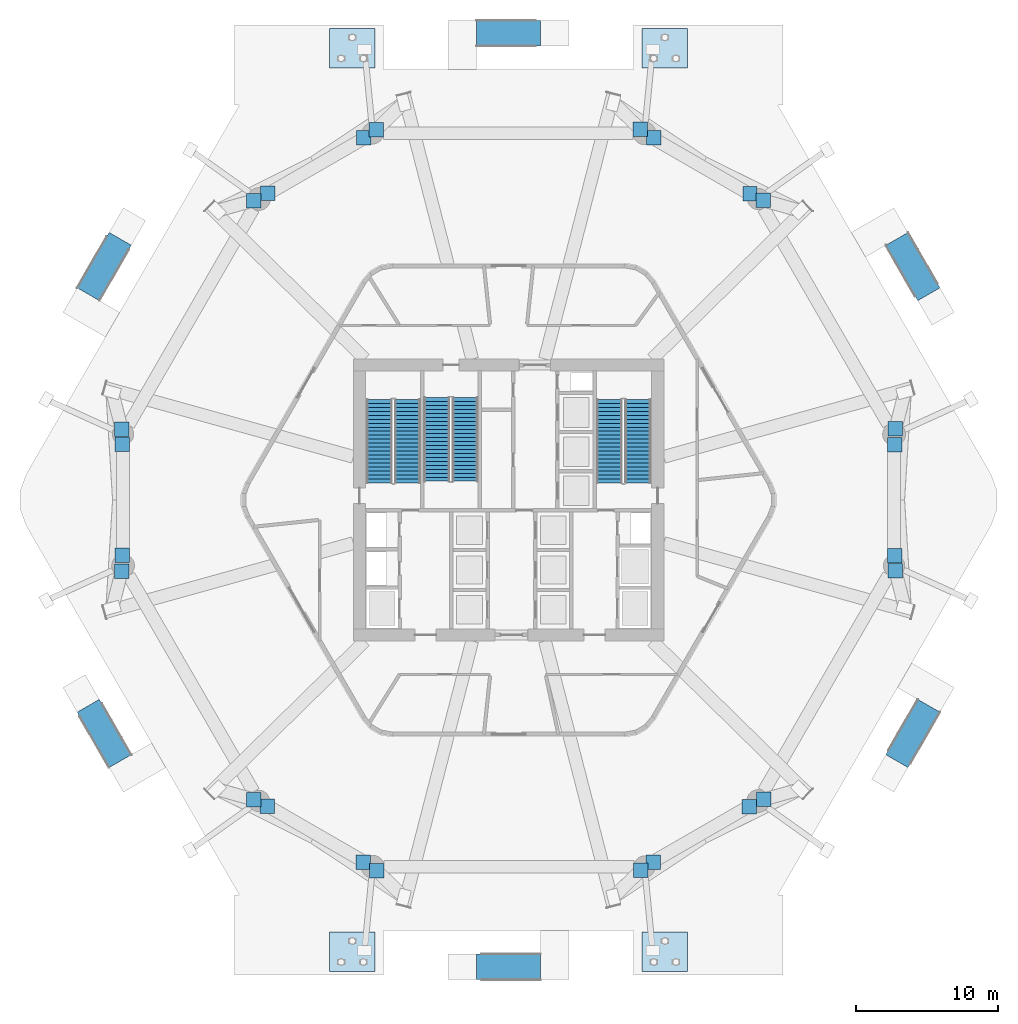
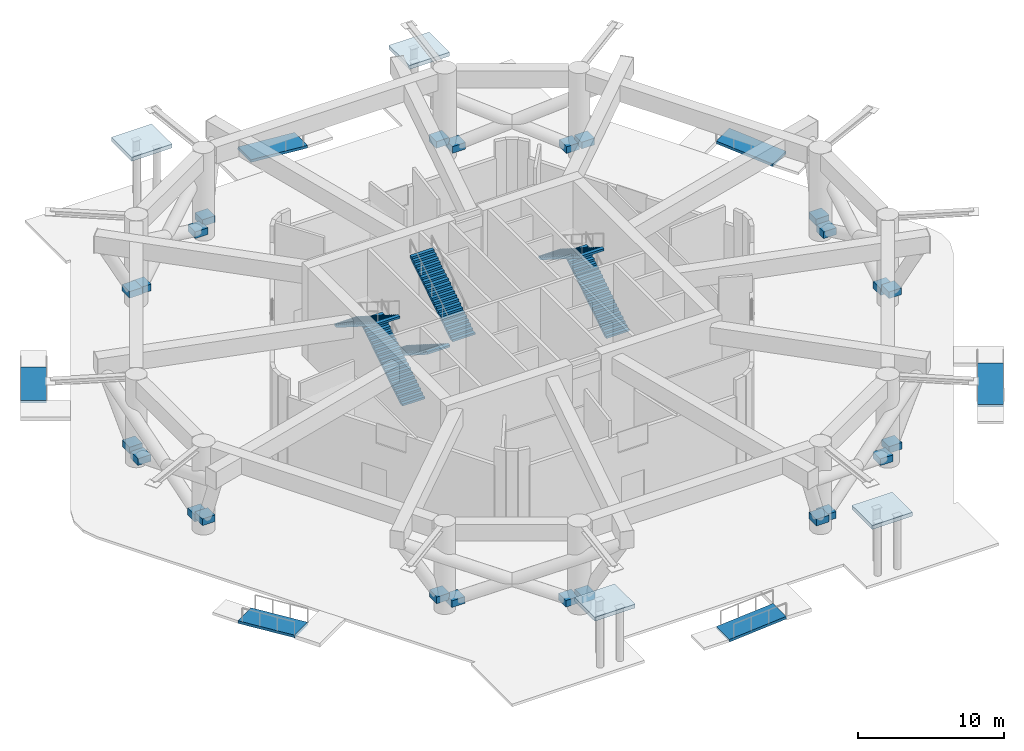
# One storey, part 12 of 17: 24 discrete accessories, 6 ramp flights, 6 stair flights, 4 roofs, 9 elements without a shape of their own.
"""IFC4 building model written with IfcOpenShell, lengths in metres."""

from ifc_helpers import new_model, si_unit, direction, frame, origin, origin_2d, place, context, subcontext, project, spatial, polyline, rectangle, outline, extrude, material, layer, layer_set, type_object, element, aggregate, save


model = new_model("IFC4")

# Units and contexts
model_context = context("Model", 3, precision=1e-05, world=origin(), true_north=direction((0.0, 1.0)))
body_context = subcontext(model_context, "Body", "Model", "MODEL_VIEW")
ifc_project = project(units=[si_unit("LENGTHUNIT", "METRE"), si_unit("AREAUNIT", "SQUARE_METRE"), si_unit("VOLUMEUNIT", "CUBIC_METRE"), si_unit("PLANEANGLEUNIT", "RADIAN"), si_unit("MASSUNIT", "GRAM", prefix="KILO")], contexts=[model_context])

# Site, building, storey
site_placement = place(None, origin())
site = spatial("IfcSite", under=ifc_project, at=site_placement, CompositionType="ELEMENT")
building_placement = place(site_placement, origin())
building = spatial("IfcBuilding", under=site, at=building_placement, Name="Zuhravey Tower", CompositionType="ELEMENT")
storey_placement = place(building_placement, origin())
storey = spatial("IfcBuildingStorey", under=building, at=storey_placement, Name="L01", CompositionType="ELEMENT", Elevation=0.0)

# Stair, stair flights
ifc_material_1 = material(Name="Concrete C40/50", Category="concrete")
stair_type = type_object("IfcStairType", Name="Stilt Ground Stair Assembly 7800", PredefinedType="HALF_TURN_STAIR", material=ifc_material_1)
stair_1_placement = place(storey_placement, origin())
stair_1 = element("IfcStair", 1, at=stair_1_placement, inside=storey, type_object=stair_type, Name="L01 Core Exit Stair ST1", PredefinedType="HALF_TURN_STAIR")
stair_flight_type = type_object("IfcStairFlightType", Name="Stilt Ground Stair Flight 7800", PredefinedType="STRAIGHT", material=ifc_material_1)
stair_flight_1_placement = place(storey_placement, frame((28.89990234375, 33.199951171875, 0.0), z_axis=(0.0, 0.0, 1.0), x_axis=(0.0, 1.0, 0.0)))
stair_flight_1 = element("IfcStairFlight", 2, at=stair_flight_1_placement, type_object=stair_flight_type, Name="ST1 flight 1", NumberOfRisers=22, NumberOfTreads=21, PredefinedType="STRAIGHT", RiserHeight=0.177272727, TreadLength=0.28, context=body_context, shape_type="SweptSolid", body=[
    extrude(outline(polyline([(0.0, 0.0), (0.0, 0.17724609375), (0.280029296875, 0.17724609375), (0.280029296875, 0.3544921875), (0.56005859375, 0.3544921875), (0.56005859375, 0.53173828125), (0.840087890625, 0.53173828125), (0.840087890625, 0.708984375), (1.1201171875, 0.708984375), (1.1201171875, 0.886474609375), (1.39990234375, 0.886474609375), (1.39990234375, 1.063720703125), (1.679931640625, 1.063720703125), (1.679931640625, 1.240966796875), (1.9599609375, 1.240966796875), (1.9599609375, 1.418212890625), (2.239990234375, 1.418212890625), (2.239990234375, 1.595458984375), (2.52001953125, 1.595458984375), (2.52001953125, 1.772705078125), (2.800048828125, 1.772705078125), (2.800048828125, 1.949951171875), (3.080078125, 1.949951171875), (3.080078125, 2.127197265625), (3.360107421875, 2.127197265625), (3.360107421875, 2.304443359375), (3.639892578125, 2.304443359375), (3.639892578125, 2.48193359375), (3.919921875, 2.48193359375), (3.919921875, 2.6591796875), (4.199951171875, 2.6591796875), (4.199951171875, 2.83642578125), (4.47998046875, 2.83642578125), (4.47998046875, 3.013671875), (4.760009765625, 3.013671875), (4.760009765625, 3.19091796875), (5.0400390625, 3.19091796875), (5.0400390625, 3.3681640625), (5.320068359375, 3.3681640625), (5.320068359375, 3.54541015625), (5.60009765625, 3.54541015625), (5.60009765625, 3.72265625), (5.8798828125, 3.72265625), (5.8798828125, 3.89990234375), (5.8798828125, 3.54541015625), (0.2802734375, 0.0), (0.0, 0.0)])), frame((0.0, 0.89990234375, 0.0), z_axis=(0.0, -1.0, 0.0), x_axis=(1.0, 0.0, 0.0)), (0.0, 0.0, 1.0), 1.800048828125),
])
stair_flight_2_placement = place(storey_placement, frame((26.89990234375, 39.080078125, 3.89990234375), z_axis=(0.0, 0.0, 1.0), x_axis=(0.0, -1.0, 0.0)))
stair_flight_2 = element("IfcStairFlight", 3, at=stair_flight_2_placement, type_object=stair_flight_type, Name="ST1 flight 2", NumberOfRisers=22, NumberOfTreads=21, PredefinedType="STRAIGHT", RiserHeight=0.177272727, TreadLength=0.28, context=body_context, shape_type="SweptSolid", body=[
    extrude(outline(polyline([(0.0, 0.0), (0.0, 0.17724609375), (0.280029296875, 0.17724609375), (0.280029296875, 0.3544921875), (0.56005859375, 0.3544921875), (0.56005859375, 0.53173828125), (0.840087890625, 0.53173828125), (0.840087890625, 0.708984375), (1.1201171875, 0.708984375), (1.1201171875, 0.886474609375), (1.39990234375, 0.886474609375), (1.39990234375, 1.063720703125), (1.679931640625, 1.063720703125), (1.679931640625, 1.240966796875), (1.9599609375, 1.240966796875), (1.9599609375, 1.418212890625), (2.239990234375, 1.418212890625), (2.239990234375, 1.595458984375), (2.52001953125, 1.595458984375), (2.52001953125, 1.772705078125), (2.800048828125, 1.772705078125), (2.800048828125, 1.949951171875), (3.080078125, 1.949951171875), (3.080078125, 2.127197265625), (3.360107421875, 2.127197265625), (3.360107421875, 2.304443359375), (3.639892578125, 2.304443359375), (3.639892578125, 2.48193359375), (3.919921875, 2.48193359375), (3.919921875, 2.6591796875), (4.199951171875, 2.6591796875), (4.199951171875, 2.83642578125), (4.47998046875, 2.83642578125), (4.47998046875, 3.013671875), (4.760009765625, 3.013671875), (4.760009765625, 3.19091796875), (5.0400390625, 3.19091796875), (5.0400390625, 3.3681640625), (5.320068359375, 3.3681640625), (5.320068359375, 3.54541015625), (5.60009765625, 3.54541015625), (5.60009765625, 3.72265625), (5.8798828125, 3.72265625), (5.8798828125, 3.89990234375), (5.8798828125, 3.54541015625), (0.2802734375, 0.0), (0.0, 0.0)])), frame((0.0, 0.89990234375, 0.0), z_axis=(0.0, -1.0, 0.0), x_axis=(1.0, 0.0, 0.0)), (0.0, 0.0, 1.0), 1.800048828125),
])
aggregate(stair_1, [stair_flight_1, stair_flight_2])

stair_2_placement = place(storey_placement, origin())
stair_2 = element("IfcStair", 4, at=stair_2_placement, inside=storey, type_object=stair_type, Name="L01 Core Exit Stair ST2", PredefinedType="HALF_TURN_STAIR")
stair_flight_3_placement = place(storey_placement, frame((45.10009765625, 33.199951171875, 0.0), z_axis=(0.0, 0.0, 1.0), x_axis=(0.0, 1.0, 0.0)))
stair_flight_3 = element("IfcStairFlight", 5, at=stair_flight_3_placement, type_object=stair_flight_type, Name="ST2 flight 1", NumberOfRisers=22, NumberOfTreads=21, PredefinedType="STRAIGHT", RiserHeight=0.177272727, TreadLength=0.28, context=body_context, shape_type="SweptSolid", body=[
    extrude(outline(polyline([(0.0, 0.0), (0.0, 0.17724609375), (0.280029296875, 0.17724609375), (0.280029296875, 0.3544921875), (0.56005859375, 0.3544921875), (0.56005859375, 0.53173828125), (0.840087890625, 0.53173828125), (0.840087890625, 0.708984375), (1.1201171875, 0.708984375), (1.1201171875, 0.886474609375), (1.39990234375, 0.886474609375), (1.39990234375, 1.063720703125), (1.679931640625, 1.063720703125), (1.679931640625, 1.240966796875), (1.9599609375, 1.240966796875), (1.9599609375, 1.418212890625), (2.239990234375, 1.418212890625), (2.239990234375, 1.595458984375), (2.52001953125, 1.595458984375), (2.52001953125, 1.772705078125), (2.800048828125, 1.772705078125), (2.800048828125, 1.949951171875), (3.080078125, 1.949951171875), (3.080078125, 2.127197265625), (3.360107421875, 2.127197265625), (3.360107421875, 2.304443359375), (3.639892578125, 2.304443359375), (3.639892578125, 2.48193359375), (3.919921875, 2.48193359375), (3.919921875, 2.6591796875), (4.199951171875, 2.6591796875), (4.199951171875, 2.83642578125), (4.47998046875, 2.83642578125), (4.47998046875, 3.013671875), (4.760009765625, 3.013671875), (4.760009765625, 3.19091796875), (5.0400390625, 3.19091796875), (5.0400390625, 3.3681640625), (5.320068359375, 3.3681640625), (5.320068359375, 3.54541015625), (5.60009765625, 3.54541015625), (5.60009765625, 3.72265625), (5.8798828125, 3.72265625), (5.8798828125, 3.89990234375), (5.8798828125, 3.54541015625), (0.2802734375, 0.0), (0.0, 0.0)])), frame((0.0, 0.89990234375, 0.0), z_axis=(0.0, -1.0, 0.0), x_axis=(1.0, 0.0, 0.0)), (0.0, 0.0, 1.0), 1.800048828125),
])
stair_flight_4_placement = place(storey_placement, frame((43.10009765625, 39.080078125, 3.89990234375), z_axis=(0.0, 0.0, 1.0), x_axis=(0.0, -1.0, 0.0)))
stair_flight_4 = element("IfcStairFlight", 6, at=stair_flight_4_placement, type_object=stair_flight_type, Name="ST2 flight 2", NumberOfRisers=22, NumberOfTreads=21, PredefinedType="STRAIGHT", RiserHeight=0.177272727, TreadLength=0.28, context=body_context, shape_type="SweptSolid", body=[
    extrude(outline(polyline([(0.0, 0.0), (0.0, 0.17724609375), (0.280029296875, 0.17724609375), (0.280029296875, 0.3544921875), (0.56005859375, 0.3544921875), (0.56005859375, 0.53173828125), (0.840087890625, 0.53173828125), (0.840087890625, 0.708984375), (1.1201171875, 0.708984375), (1.1201171875, 0.886474609375), (1.39990234375, 0.886474609375), (1.39990234375, 1.063720703125), (1.679931640625, 1.063720703125), (1.679931640625, 1.240966796875), (1.9599609375, 1.240966796875), (1.9599609375, 1.418212890625), (2.239990234375, 1.418212890625), (2.239990234375, 1.595458984375), (2.52001953125, 1.595458984375), (2.52001953125, 1.772705078125), (2.800048828125, 1.772705078125), (2.800048828125, 1.949951171875), (3.080078125, 1.949951171875), (3.080078125, 2.127197265625), (3.360107421875, 2.127197265625), (3.360107421875, 2.304443359375), (3.639892578125, 2.304443359375), (3.639892578125, 2.48193359375), (3.919921875, 2.48193359375), (3.919921875, 2.6591796875), (4.199951171875, 2.6591796875), (4.199951171875, 2.83642578125), (4.47998046875, 2.83642578125), (4.47998046875, 3.013671875), (4.760009765625, 3.013671875), (4.760009765625, 3.19091796875), (5.0400390625, 3.19091796875), (5.0400390625, 3.3681640625), (5.320068359375, 3.3681640625), (5.320068359375, 3.54541015625), (5.60009765625, 3.54541015625), (5.60009765625, 3.72265625), (5.8798828125, 3.72265625), (5.8798828125, 3.89990234375), (5.8798828125, 3.54541015625), (0.2802734375, 0.0), (0.0, 0.0)])), frame((0.0, 0.89990234375, 0.0), z_axis=(0.0, -1.0, 0.0), x_axis=(1.0, 0.0, 0.0)), (0.0, 0.0, 1.0), 1.800048828125),
])
aggregate(stair_2, [stair_flight_3, stair_flight_4])

stair_3_placement = place(storey_placement, origin())
stair_3 = element("IfcStair", 7, at=stair_3_placement, inside=storey, type_object=stair_type, Name="L01 Core Exit Stair ST3", PredefinedType="HALF_TURN_STAIR")
stair_flight_5_placement = place(storey_placement, frame((30.949951171875, 39.199951171875, 0.0), z_axis=(0.0, 0.0, 1.0), x_axis=(0.0, -1.0, 0.0)))
stair_flight_5 = element("IfcStairFlight", 8, at=stair_flight_5_placement, type_object=stair_flight_type, Name="ST3 flight 1", NumberOfRisers=22, NumberOfTreads=21, PredefinedType="STRAIGHT", RiserHeight=0.177272727, TreadLength=0.28, context=body_context, shape_type="SweptSolid", body=[
    extrude(outline(polyline([(0.0, 0.0), (0.0, 0.17724609375), (0.280029296875, 0.17724609375), (0.280029296875, 0.3544921875), (0.56005859375, 0.3544921875), (0.56005859375, 0.53173828125), (0.840087890625, 0.53173828125), (0.840087890625, 0.708984375), (1.1201171875, 0.708984375), (1.1201171875, 0.886474609375), (1.39990234375, 0.886474609375), (1.39990234375, 1.063720703125), (1.679931640625, 1.063720703125), (1.679931640625, 1.240966796875), (1.9599609375, 1.240966796875), (1.9599609375, 1.418212890625), (2.239990234375, 1.418212890625), (2.239990234375, 1.595458984375), (2.52001953125, 1.595458984375), (2.52001953125, 1.772705078125), (2.800048828125, 1.772705078125), (2.800048828125, 1.949951171875), (3.080078125, 1.949951171875), (3.080078125, 2.127197265625), (3.360107421875, 2.127197265625), (3.360107421875, 2.304443359375), (3.639892578125, 2.304443359375), (3.639892578125, 2.48193359375), (3.919921875, 2.48193359375), (3.919921875, 2.6591796875), (4.199951171875, 2.6591796875), (4.199951171875, 2.83642578125), (4.47998046875, 2.83642578125), (4.47998046875, 3.013671875), (4.760009765625, 3.013671875), (4.760009765625, 3.19091796875), (5.0400390625, 3.19091796875), (5.0400390625, 3.3681640625), (5.320068359375, 3.3681640625), (5.320068359375, 3.54541015625), (5.60009765625, 3.54541015625), (5.60009765625, 3.72265625), (5.8798828125, 3.72265625), (5.8798828125, 3.89990234375), (5.8798828125, 3.54541015625), (0.2802734375, 0.0), (0.0, 0.0)])), frame((0.0, 0.89990234375, 0.0), z_axis=(0.0, -1.0, 0.0), x_axis=(1.0, 0.0, 0.0)), (0.0, 0.0, 1.0), 1.800048828125),
])
stair_flight_6_placement = place(storey_placement, frame((32.949951171875, 33.320068359375, 3.89990234375), z_axis=(0.0, 0.0, 1.0), x_axis=(0.0, 1.0, 0.0)))
stair_flight_6 = element("IfcStairFlight", 9, at=stair_flight_6_placement, type_object=stair_flight_type, Name="ST3 flight 2", NumberOfRisers=22, NumberOfTreads=21, PredefinedType="STRAIGHT", RiserHeight=0.177272727, TreadLength=0.28, context=body_context, shape_type="SweptSolid", body=[
    extrude(outline(polyline([(0.0, 0.0), (0.0, 0.17724609375), (0.280029296875, 0.17724609375), (0.280029296875, 0.3544921875), (0.56005859375, 0.3544921875), (0.56005859375, 0.53173828125), (0.840087890625, 0.53173828125), (0.840087890625, 0.708984375), (1.1201171875, 0.708984375), (1.1201171875, 0.886474609375), (1.39990234375, 0.886474609375), (1.39990234375, 1.063720703125), (1.679931640625, 1.063720703125), (1.679931640625, 1.240966796875), (1.9599609375, 1.240966796875), (1.9599609375, 1.418212890625), (2.239990234375, 1.418212890625), (2.239990234375, 1.595458984375), (2.52001953125, 1.595458984375), (2.52001953125, 1.772705078125), (2.800048828125, 1.772705078125), (2.800048828125, 1.949951171875), (3.080078125, 1.949951171875), (3.080078125, 2.127197265625), (3.360107421875, 2.127197265625), (3.360107421875, 2.304443359375), (3.639892578125, 2.304443359375), (3.639892578125, 2.48193359375), (3.919921875, 2.48193359375), (3.919921875, 2.6591796875), (4.199951171875, 2.6591796875), (4.199951171875, 2.83642578125), (4.47998046875, 2.83642578125), (4.47998046875, 3.013671875), (4.760009765625, 3.013671875), (4.760009765625, 3.19091796875), (5.0400390625, 3.19091796875), (5.0400390625, 3.3681640625), (5.320068359375, 3.3681640625), (5.320068359375, 3.54541015625), (5.60009765625, 3.54541015625), (5.60009765625, 3.72265625), (5.8798828125, 3.72265625), (5.8798828125, 3.89990234375), (5.8798828125, 3.54541015625), (0.2802734375, 0.0), (0.0, 0.0)])), frame((0.0, 0.89990234375, 0.0), z_axis=(0.0, -1.0, 0.0), x_axis=(1.0, 0.0, 0.0)), (0.0, 0.0, 1.0), 1.800048828125),
])
aggregate(stair_3, [stair_flight_5, stair_flight_6])

# Ramp, ramp flight
ramp_type = type_object("IfcRampType", Name="Accessible Plaza Ramp", PredefinedType="STRAIGHT_RUN_RAMP", material=ifc_material_1)
ramp_1_placement = place(storey_placement, origin())
ramp_1 = element("IfcRamp", 10, at=ramp_1_placement, inside=storey, type_object=ramp_type, Name="L01 Accessible Plaza Ramp AR1-01", PredefinedType="STRAIGHT_RUN_RAMP")
ifc_layer_1 = layer(ifc_material_1, 0.219970703125)
ifc_layer_set_1 = layer_set([ifc_layer_1], Name="Concrete C40/50")
ramp_flight_type = type_object("IfcRampFlightType", Name="Accessible Ramp Flight", PredefinedType="STRAIGHT", material=ifc_layer_set_1)
ramp_flight_1_placement = place(storey_placement, frame((64.803955078125, 46.031982421875, -0.360107421875), z_axis=(0.039885544436, -0.069081568215, 0.996813362811), x_axis=(0.866047620835, 0.499961516944, -4.670109e-06)))
ramp_flight_1 = element("IfcRampFlight", 11, at=ramp_flight_1_placement, type_object=ramp_flight_type, Name="L01 Accessible Ramp Flight ARF1-01", PredefinedType="STRAIGHT", context=body_context, shape_type="SweptSolid", body=[
    extrude(outline(polyline([(0.0, 0.0), (1.799944387325295, 1.1102230246251565e-16), (1.799793980330854, 4.514474066205357), (-0.00027246791166322704, 4.514263302526755), (0.0, 0.0)])), origin(), (0.0, 0.0, -1.0), 0.219970703125),
])
aggregate(ramp_1, [ramp_flight_1])

ramp_2_placement = place(storey_placement, origin())
ramp_2 = element("IfcRamp", 12, at=ramp_2_placement, inside=storey, type_object=ramp_type, Name="L01 Accessible Plaza Ramp AR1-02", PredefinedType="STRAIGHT_RUN_RAMP")
ramp_flight_2_placement = place(storey_placement, frame((38.25, 63.9609375, -0.360107421875), z_axis=(0.079768866396, 0.0, 0.996813386725), x_axis=(0.0, 1.0, 0.0)))
ramp_flight_2 = element("IfcRampFlight", 13, at=ramp_flight_2_placement, type_object=ramp_flight_type, Name="L01 Accessible Ramp Flight ARF1-02", PredefinedType="STRAIGHT", context=body_context, shape_type="SweptSolid", body=[
    extrude(outline(polyline([(0.0, 0.0), (1.800048828125, 0.0), (1.800048828125, 4.514385601085651), (0.0, 4.514385601085651), (0.0, 0.0)])), origin(), (0.0, 0.0, -1.0), 0.219970703125),
])
aggregate(ramp_2, [ramp_flight_2])

ramp_3_placement = place(storey_placement, origin())
ramp_3 = element("IfcRamp", 14, at=ramp_3_placement, inside=storey, type_object=ramp_type, Name="L01 Accessible Plaza Ramp AR1-03", PredefinedType="STRAIGHT_RUN_RAMP")
ramp_flight_3_placement = place(storey_placement, frame((9.446044921875, 49.928955078125, -0.360107421875), z_axis=(0.039885544436, 0.069081568215, 0.996813362811), x_axis=(-0.865989262679, 0.500062592985, -4.669792e-06)))
ramp_flight_3 = element("IfcRampFlight", 15, at=ramp_flight_3_placement, type_object=ramp_flight_type, Name="L01 Accessible Ramp Flight ARF1-03", PredefinedType="STRAIGHT", context=body_context, shape_type="SweptSolid", body=[
    extrude(outline(polyline([(0.0, 0.0), (1.8000664605813197, 0.0), (1.7996882831130012, 4.514474052870919), (-0.0002560918743280366, 4.514263303485462), (0.0, 0.0)])), origin(), (0.0, 0.0, -1.0), 0.219970703125),
])
aggregate(ramp_3, [ramp_flight_3])

ramp_4_placement = place(storey_placement, origin())
ramp_4 = element("IfcRamp", 16, at=ramp_4_placement, inside=storey, type_object=ramp_type, Name="L01 Accessible Plaza Ramp AR1-04", PredefinedType="STRAIGHT_RUN_RAMP")
ramp_flight_4_placement = place(storey_placement, frame((7.196044921875, 17.968017578125, -0.360107421875), z_axis=(-0.039885544436, 0.069081568215, 0.996813362811), x_axis=(-0.866047620835, -0.499961516944, -4.670109e-06)))
ramp_flight_4 = element("IfcRampFlight", 17, at=ramp_flight_4_placement, type_object=ramp_flight_type, Name="L01 Accessible Ramp Flight ARF1-04", PredefinedType="STRAIGHT", context=body_context, shape_type="SweptSolid", body=[
    extrude(outline(polyline([(0.0, 0.0), (1.799944387325295, 1.1102230246251565e-16), (1.799793980330854, 4.514474066205357), (-0.00027246791166322704, 4.514263302526755), (0.0, 0.0)])), origin(), (0.0, 0.0, -1.0), 0.219970703125),
])
aggregate(ramp_4, [ramp_flight_4])

ramp_5_placement = place(storey_placement, origin())
ramp_5 = element("IfcRamp", 18, at=ramp_5_placement, inside=storey, type_object=ramp_type, Name="L01 Accessible Plaza Ramp AR1-05", PredefinedType="STRAIGHT_RUN_RAMP")
ramp_flight_5_placement = place(storey_placement, frame((33.75, 0.0390625, -0.360107421875), z_axis=(-0.079768866396, 0.0, 0.996813386725), x_axis=(0.0, -1.0, 0.0)))
ramp_flight_5 = element("IfcRampFlight", 19, at=ramp_flight_5_placement, type_object=ramp_flight_type, Name="L01 Accessible Ramp Flight ARF1-05", PredefinedType="STRAIGHT", context=body_context, shape_type="SweptSolid", body=[
    extrude(outline(polyline([(0.0, 0.0), (1.800048828125, 0.0), (1.800048828125, 4.514385601085651), (0.0, 4.514385601085651), (0.0, 0.0)])), origin(), (0.0, 0.0, -1.0), 0.219970703125),
])
aggregate(ramp_5, [ramp_flight_5])

ramp_6_placement = place(storey_placement, origin())
ramp_6 = element("IfcRamp", 20, at=ramp_6_placement, inside=storey, type_object=ramp_type, Name="L01 Accessible Plaza Ramp AR1-06", PredefinedType="STRAIGHT_RUN_RAMP")
ramp_flight_6_placement = place(storey_placement, frame((62.553955078125, 14.071044921875, -0.360107421875), z_axis=(-0.039885544436, -0.069081568215, 0.996813362811), x_axis=(0.865989262679, -0.500062592985, -4.669792e-06)))
ramp_flight_6 = element("IfcRampFlight", 21, at=ramp_flight_6_placement, type_object=ramp_flight_type, Name="L01 Accessible Ramp Flight ARF1-06", PredefinedType="STRAIGHT", context=body_context, shape_type="SweptSolid", body=[
    extrude(outline(polyline([(0.0, 0.0), (1.8000664605813197, 0.0), (1.7996882831130012, 4.514474052870919), (-0.0002560918743280366, 4.514263303485462), (0.0, 0.0)])), origin(), (0.0, 0.0, -1.0), 0.219970703125),
])
aggregate(ramp_6, [ramp_flight_6])

# Roofs
ifc_layer_2 = layer(ifc_material_1, 0.320068359375)
ifc_layer_set_2 = layer_set([ifc_layer_2], Name="Concrete C40/50")
roof_type = type_object("IfcRoofType", Name="Crown Crest Flat Roof Assembly", PredefinedType="FLAT_ROOF", material=ifc_layer_set_2)
roof_1_placement = place(storey_placement, frame((0.0, 0.0, 4.448974609375)))
element("IfcRoof", 22, at=roof_1_placement, inside=storey, type_object=roof_type, Name="L01 Entrance Canopy Roof RFA1-S1", PredefinedType="FLAT_ROOF", context=body_context, shape_type="SweptSolid", body=[
    extrude(outline(polyline([(23.39990234375, -1.199951171875), (26.60009765625, -1.199951171875), (26.60009765625, 1.60009765625), (23.39990234375, 1.60009765625), (23.39990234375, -1.199951171875)])), origin(), (0.0, 0.0, 1.0), 0.320068359375),
])
roof_2_placement = place(storey_placement, frame((0.0, 0.0, 4.448974609375)))
element("IfcRoof", 23, at=roof_2_placement, inside=storey, type_object=roof_type, Name="L01 Entrance Canopy Roof RFA1-S2", PredefinedType="FLAT_ROOF", context=body_context, shape_type="SweptSolid", body=[
    extrude(outline(polyline([(45.39990234375, -1.199951171875), (48.60009765625, -1.199951171875), (48.60009765625, 1.60009765625), (45.39990234375, 1.60009765625), (45.39990234375, -1.199951171875)])), origin(), (0.0, 0.0, 1.0), 0.320068359375),
])
roof_3_placement = place(storey_placement, frame((0.0, 0.0, 4.448974609375)))
element("IfcRoof", 24, at=roof_3_placement, inside=storey, type_object=roof_type, Name="L01 Entrance Canopy Roof RFA1-N1", PredefinedType="FLAT_ROOF", context=body_context, shape_type="SweptSolid", body=[
    extrude(outline(polyline([(23.39990234375, 62.39990234375), (26.60009765625, 62.39990234375), (26.60009765625, 65.199951171875), (23.39990234375, 65.199951171875), (23.39990234375, 62.39990234375)])), origin(), (0.0, 0.0, 1.0), 0.320068359375),
])
roof_4_placement = place(storey_placement, frame((0.0, 0.0, 4.448974609375)))
element("IfcRoof", 25, at=roof_4_placement, inside=storey, type_object=roof_type, Name="L01 Entrance Canopy Roof RFA1-N2", PredefinedType="FLAT_ROOF", context=body_context, shape_type="SweptSolid", body=[
    extrude(outline(polyline([(45.39990234375, 62.39990234375), (48.60009765625, 62.39990234375), (48.60009765625, 65.199951171875), (45.39990234375, 65.199951171875), (45.39990234375, 62.39990234375)])), origin(), (0.0, 0.0, 1.0), 0.320068359375),
])

# Discrete accessories
ifc_material_2 = material(Name="Steel SM355", Category="steel")
discrete_accessory_type = type_object("IfcDiscreteAccessoryType", Name="Exoskeleton Support Bracket", PredefinedType="BRACKET", material=ifc_material_2)
for number, where, z_axis, x_axis, name in (
    (26, (63.22998046875, 37.005615234375, 0.96923828125), (0.0, 0.0, 1.0), (1.0, 0.0, 0.0), "L01 Stilt V-Strut Base Collar BRK1-S01"),
    (27, (63.1748046875, 28.0673828125, 0.574462890625), (0.0, 0.0, 1.0), (1.0, 0.0, 0.0), "L01 Stilt V-Strut Base Collar BRK1-S02"),
    (28, (53.92626953125, 53.085693359375, 0.92578125), (0.0, 0.0, 1.0), (1.0, 0.0, 0.0), "L01 Stilt V-Strut Base Collar BRK1-S03"),
    (29, (46.222412109375, 57.47998046875, 0.594482421875), (0.0, 0.0, 1.0), (1.0, 0.0, 0.0), "L01 Stilt V-Strut Base Collar BRK1-S04"),
    (30, (45.27978515625, 58.084716796875, 0.96923828125), (0.0, 0.0, 1.0), (1.0, 0.0, 0.0), "L01 Stilt V-Strut Base Collar BRK1-S05"),
    (31, (52.9931640625, 53.567626953125, 0.574462890625), (0.0, 0.0, 1.0), (1.0, 0.0, 0.0), "L01 Stilt V-Strut Base Collar BRK1-S06"),
    (32, (26.702392578125, 58.067626953125, 0.92578125), (0.0, 0.0, 1.0), (1.0, 0.0, 0.0), "L01 Stilt V-Strut Base Collar BRK1-S07"),
    (33, (19.044921875, 53.593017578125, 0.594482421875), (0.0, 0.0, 1.0), (1.0, 0.0, 0.0), "L01 Stilt V-Strut Base Collar BRK1-S08"),
    (34, (18.0498046875, 53.0791015625, 0.96923828125), (0.0, 0.0, 1.0), (1.0, 0.0, 0.0), "L01 Stilt V-Strut Base Collar BRK1-S09"),
    (35, (25.818359375, 57.500244140625, 0.574462890625), (0.0, 0.0, 1.0), (1.0, 0.0, 0.0), "L01 Stilt V-Strut Base Collar BRK1-S10"),
    (36, (8.776123046875, 36.981689453125, 0.92578125), (0.0, 0.0, 1.0), (1.0, 0.0, 0.0), "L01 Stilt V-Strut Base Collar BRK1-S11"),
    (37, (8.822509765625, 28.113037109375, 0.594482421875), (0.0, 0.0, 1.0), (1.0, 0.0, 0.0), "L01 Stilt V-Strut Base Collar BRK1-S12"),
    (38, (8.77001953125, 26.994384765625, 0.96923828125), (0.0, 0.0, 1.0), (1.0, 0.0, 0.0), "L01 Stilt V-Strut Base Collar BRK1-S13"),
    (39, (8.8251953125, 35.9326171875, 0.574462890625), (0.0, 0.0, 1.0), (1.0, 0.0, 0.0), "L01 Stilt V-Strut Base Collar BRK1-S14"),
    (40, (18.07373046875, 10.914306640625, 0.92578125), (0.0, 0.0, 1.0), (1.0, 0.0, 0.0), "L01 Stilt V-Strut Base Collar BRK1-S15"),
    (41, (25.777587890625, 6.52001953125, 0.594482421875), (0.0, 0.0, 1.0), (1.0, 0.0, 0.0), "L01 Stilt V-Strut Base Collar BRK1-S16"),
    (42, (26.72021484375, 5.915283203125, 0.96923828125), (0.0, 0.0, 1.0), (1.0, 0.0, 0.0), "L01 Stilt V-Strut Base Collar BRK1-S17"),
    (43, (19.0068359375, 10.432373046875, 0.574462890625), (0.0, 0.0, 1.0), (1.0, 0.0, 0.0), "L01 Stilt V-Strut Base Collar BRK1-S18"),
    (44, (45.297607421875, 5.932373046875, 0.92578125), (0.0, 0.0, 1.0), (1.0, 0.0, 0.0), "L01 Stilt V-Strut Base Collar BRK1-S19"),
    (45, (52.955078125, 10.406982421875, 0.594482421875), (0.0, 0.0, 1.0), (1.0, 0.0, 0.0), "L01 Stilt V-Strut Base Collar BRK1-S20"),
    (46, (53.9501953125, 10.9208984375, 0.96923828125), (0.0, 0.0, 1.0), (1.0, 0.0, 0.0), "L01 Stilt V-Strut Base Collar BRK1-S21"),
    (47, (46.181640625, 6.499755859375, 0.574462890625), (0.0, 0.0, 1.0), (1.0, 0.0, 0.0), "L01 Stilt V-Strut Base Collar BRK1-S22"),
    (48, (63.223876953125, 27.018310546875, 0.92578125), (0.0, 0.0, 1.0), (1.0, 0.0, 0.0), "L01 Stilt V-Strut Base Collar BRK1-S23"),
    (49, (63.177490234375, 35.886962890625, 0.594482421875), (0.0, 0.0, 1.0), (1.0, 0.0, 0.0), "L01 Stilt V-Strut Base Collar BRK1-S24"),
):
    element("IfcDiscreteAccessory", number, at=place(storey_placement, frame(where, z_axis=z_axis, x_axis=x_axis)), inside=storey, type_object=discrete_accessory_type, Name=name, PredefinedType="BRACKET", context=body_context, shape_type="SweptSolid", body=[
        extrude(rectangle(XDim=1.02001953125, YDim=1.02001953125, at=origin_2d()), origin(), (0.0, 0.0, 1.0), 0.56005859375),
    ])

save(model, "model.ifc")
